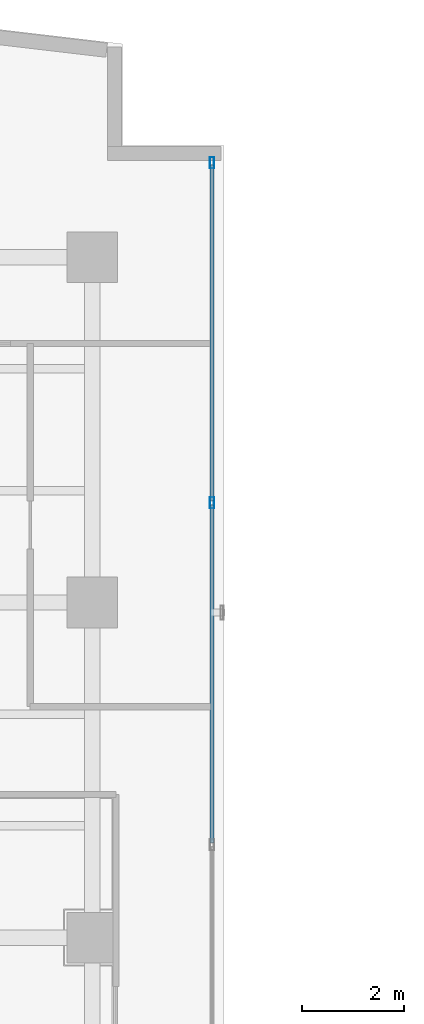
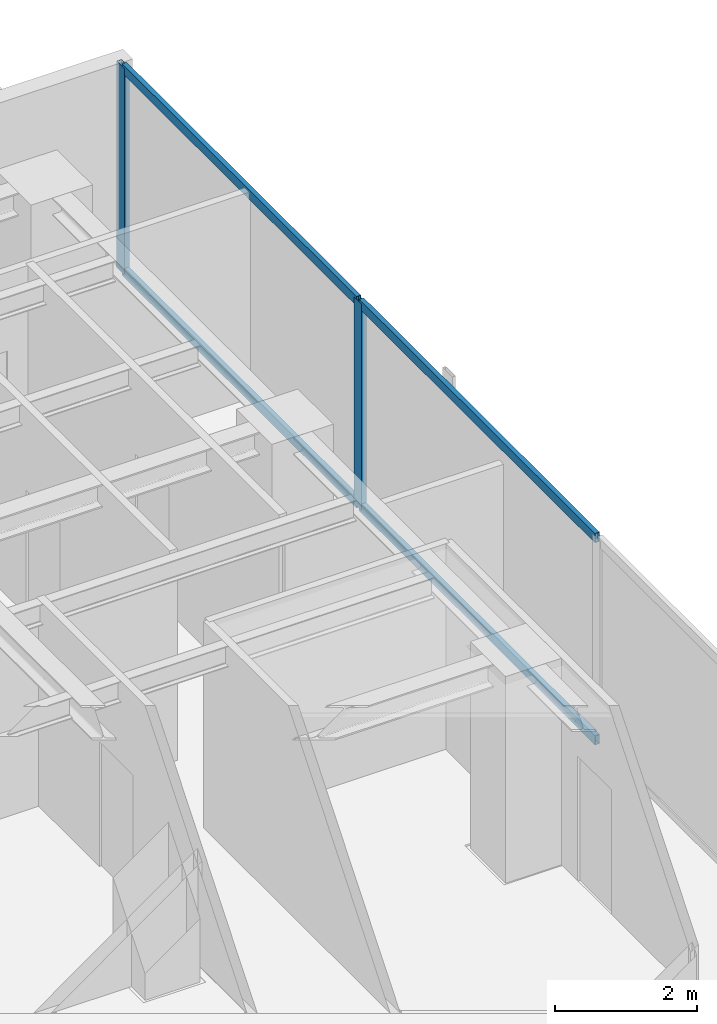
# One storey, part 15 of 25: 6 members, 1 element without a shape of its own.
"""IFC4 building model written with IfcOpenShell, lengths in metres."""

from ifc_helpers import new_model, si_unit, direction, frame, origin, origin_with_axes, origin_2d, place, context, subcontext, project, spatial, hollow_rectangle, extrude, source, transform, mapped, material, layer, layer_set, material_profile, profile_set, type_object, element, aggregate, save


model = new_model("IFC4")

# Units and contexts
model_context = context("Model", 3, precision=1e-05, world=origin(), true_north=direction((0.0, 1.0)))
body_context = subcontext(model_context, "Body", "Model", "MODEL_VIEW")
ifc_project = project(units=[si_unit("LENGTHUNIT", "METRE"), si_unit("AREAUNIT", "SQUARE_METRE"), si_unit("VOLUMEUNIT", "CUBIC_METRE"), si_unit("PLANEANGLEUNIT", "RADIAN"), si_unit("MASSUNIT", "GRAM", prefix="KILO")], contexts=[model_context])

# Site, building, storey
site_placement = place(None, origin())
site = spatial("IfcSite", under=ifc_project, at=site_placement, CompositionType="ELEMENT")
building_placement = place(site_placement, origin())
building = spatial("IfcBuilding", under=site, at=building_placement, Name="Kolvaren Waterfront Exchange", CompositionType="ELEMENT")
storey_placement = place(building_placement, frame((0.0, 0.0, 204.5)))
storey = spatial("IfcBuildingStorey", under=building, at=storey_placement, Name="L52", CompositionType="ELEMENT", Elevation=204.5)

# Curtain wall, members
ifc_material_1 = material(Name="Anodised bronze aluminium 6063-T6", Category="aluminium")
ifc_layer = layer(ifc_material_1, 0.219970703125, Name="Anodised bronze aluminium 6063-T6")
ifc_layer_set = layer_set([ifc_layer], Name="Anodised bronze aluminium 6063-T6")
curtain_wall_type = type_object("IfcCurtainWallType", Name="ARC-CW-SYS1", PredefinedType="USERDEFINED", material=ifc_layer_set)
curtain_wall_placement = place(storey_placement, origin())
curtain_wall = element("IfcCurtainWall", 1, at=curtain_wall_placement, inside=storey, type_object=curtain_wall_type, Name="L52 stick curtain wall CW1 (CW-L52-NE)", ObjectType="STICK CURTAIN WALL", PredefinedType="USERDEFINED")
ifc_material_2 = material(Name="Anodised aluminium 6063-T6", Category="aluminium")
ifc_material_profile_1 = material_profile(ifc_material_2, hollow_rectangle(XDim=0.080078125, YDim=0.219970703125, WallThickness=0.0048828125, at=origin_2d()), Name="ALU-MUL-220x80x5")
ifc_profile_set_1 = profile_set([ifc_material_profile_1], Name="Anodised aluminium 6063-T6")
member_type_1 = type_object("IfcMemberType", Name="ARC-CWM-220", PredefinedType="MULLION", material=ifc_profile_set_1)
shared_shape_1 = source(origin_with_axes(), body_context, "Body", "SweptSolid", [
    extrude(hollow_rectangle(XDim=0.080078125, YDim=0.219970703125, WallThickness=0.0048828125, at=origin_2d()), origin(), (0.0, 0.0, 1.0), 3.56005859375),
])
member_1_placement = place(storey_placement, frame((21.159912109375, 39.763427734375, 0.0), z_axis=(0.0, 0.0, 1.0), x_axis=(-1.0, 0.0, 0.0)))
member_1 = element("IfcMember", 2, at=member_1_placement, type_object=member_type_1, Name="CW1 mullion 3", PredefinedType="MULLION", context=body_context, shape_type="MappedRepresentation", body=[
    mapped(shared_shape_1, transform((0.0, 0.0, 0.0), x_axis=(1.0, 0.0, 0.0), y_axis=(0.0, 1.0, 0.0), z_axis=(0.0, 0.0, 1.0), scale=1.0)),
])
member_2_placement = place(storey_placement, frame((21.159912109375, 46.4599609375, 0.0), z_axis=(0.0, 0.0, 1.0), x_axis=(-1.0, 0.0, 0.0)))
member_2 = element("IfcMember", 3, at=member_2_placement, type_object=member_type_1, Name="CW1 mullion 4", PredefinedType="MULLION", context=body_context, shape_type="MappedRepresentation", body=[
    mapped(shared_shape_1, transform((0.0, 0.0, 0.0), x_axis=(1.0, 0.0, 0.0), y_axis=(0.0, 1.0, 0.0), z_axis=(0.0, 0.0, 1.0), scale=1.0)),
])
ifc_material_profile_2 = material_profile(ifc_material_2, hollow_rectangle(XDim=0.074951171875, YDim=0.159912109375, WallThickness=0.00439453125, at=origin_2d()), Name="ALU-TRN-160x75x4.5")
ifc_profile_set_2 = profile_set([ifc_material_profile_2], Name="Anodised aluminium 6063-T6")
member_type_2 = type_object("IfcMemberType", Name="ARC-CWT-160", PredefinedType="USERDEFINED", material=ifc_profile_set_2)
shared_shape_2 = source(origin_with_axes(), body_context, "Body", "SweptSolid", [
    extrude(hollow_rectangle(XDim=0.074951171875, YDim=0.159912109375, WallThickness=0.00439453125, at=origin_2d()), origin(), (0.0, 0.0, 1.0), 6.65673828125),
])
member_3_placement = place(storey_placement, frame((21.159912109375, 33.066650390625, 0.03759765625), z_axis=(0.0, 1.0, 0.0), x_axis=(-1.0, 0.0, 0.0)))
member_3 = element("IfcMember", 4, at=member_3_placement, type_object=member_type_2, Name="CW1 transom 2.1", ObjectType="TRANSOM", PredefinedType="USERDEFINED", context=body_context, shape_type="MappedRepresentation", body=[
    mapped(shared_shape_2, transform((0.0, 0.0, 0.0), x_axis=(1.0, 0.0, 0.0), y_axis=(0.0, 1.0, 0.0), z_axis=(0.0, 0.0, 1.0), scale=1.0)),
])
member_4_placement = place(storey_placement, frame((21.159912109375, 33.066650390625, 3.5224609375), z_axis=(0.0, 1.0, 0.0), x_axis=(-1.0, 0.0, 0.0)))
member_4 = element("IfcMember", 5, at=member_4_placement, type_object=member_type_2, Name="CW1 transom 2.2", ObjectType="TRANSOM", PredefinedType="USERDEFINED", context=body_context, shape_type="MappedRepresentation", body=[
    mapped(shared_shape_2, transform((0.0, 0.0, 0.0), x_axis=(1.0, 0.0, 0.0), y_axis=(0.0, 1.0, 0.0), z_axis=(0.0, 0.0, 1.0), scale=1.0)),
])
shared_shape_3 = source(origin_with_axes(), body_context, "Body", "SweptSolid", [
    extrude(hollow_rectangle(XDim=0.074951171875, YDim=0.159912109375, WallThickness=0.00439453125, at=origin_2d()), origin(), (0.0, 0.0, 1.0), 6.61669921875),
])
member_5_placement = place(storey_placement, frame((21.159912109375, 39.80322265625, 0.03759765625), z_axis=(0.0, 1.0, 0.0), x_axis=(-1.0, 0.0, 0.0)))
member_5 = element("IfcMember", 6, at=member_5_placement, type_object=member_type_2, Name="CW1 transom 3.1", ObjectType="TRANSOM", PredefinedType="USERDEFINED", context=body_context, shape_type="MappedRepresentation", body=[
    mapped(shared_shape_3, transform((0.0, 0.0, 0.0), x_axis=(1.0, 0.0, 0.0), y_axis=(0.0, 1.0, 0.0), z_axis=(0.0, 0.0, 1.0), scale=1.0)),
])
member_6_placement = place(storey_placement, frame((21.159912109375, 39.80322265625, 3.5224609375), z_axis=(0.0, 1.0, 0.0), x_axis=(-1.0, 0.0, 0.0)))
member_6 = element("IfcMember", 7, at=member_6_placement, type_object=member_type_2, Name="CW1 transom 3.2", ObjectType="TRANSOM", PredefinedType="USERDEFINED", context=body_context, shape_type="MappedRepresentation", body=[
    mapped(shared_shape_3, transform((0.0, 0.0, 0.0), x_axis=(1.0, 0.0, 0.0), y_axis=(0.0, 1.0, 0.0), z_axis=(0.0, 0.0, 1.0), scale=1.0)),
])
aggregate(curtain_wall, [member_1, member_2, member_3, member_4, member_5, member_6])

save(model, "model.ifc")
